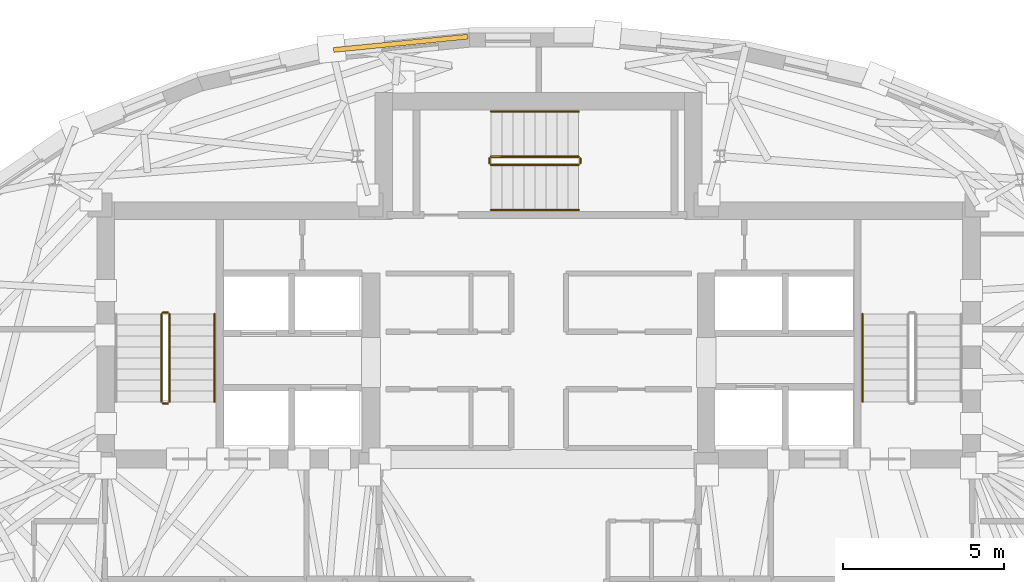
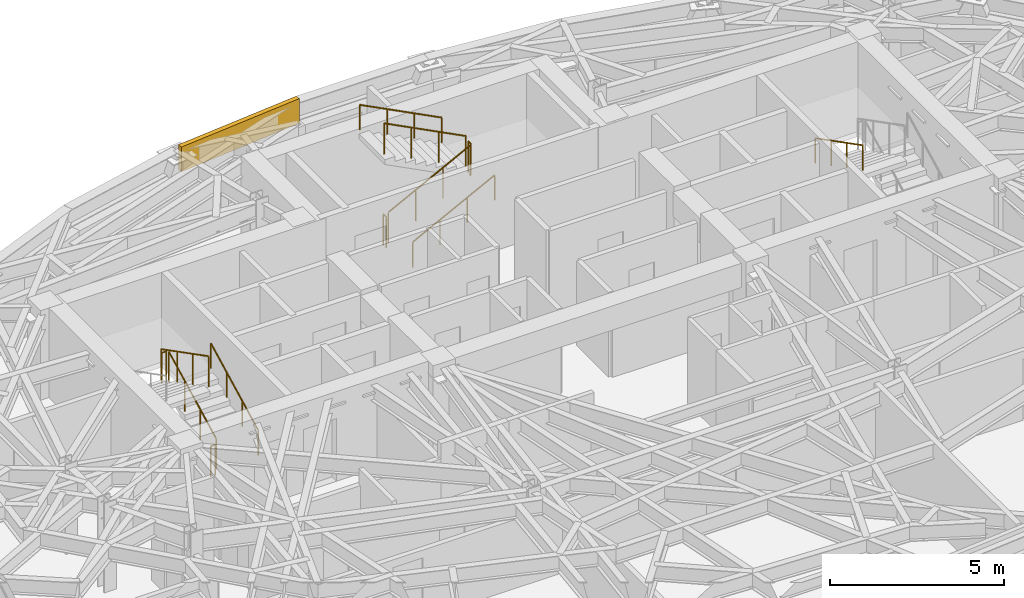
# One storey, part 12 of 13: 12 railings, 1 covering.
"""IFC4 building model written with IfcOpenShell, lengths in metres."""

import ifcopenshell
import ifcopenshell.guid

model = None  # the IFC model being written
_history = None  # IfcOwnerHistory: only IFC2X3 demands one
_inside = {}  # id of a spatial element -> (the spatial element, [elements in it])
_under = {}  # id of a project, library or spatial element -> (it, [spatial elements below it])
_declared = {}  # id of a project -> (the project, [libraries it declares])
_typed = {}  # id of a type object -> (the type object, [elements of that type])
_made_of = {}  # id of a material, layer set ... -> (it, [elements and type objects made of it])


def new_model(schema):
    """Start an empty IFC model of exactly this schema.

    Asked for "IFC4X3", IfcOpenShell would pick the latest addendum, in which some entities
    have other attributes; the version numbers below select the first issue.
    IFC2X3 requires an IfcOwnerHistory on every rooted entity: one is made here for all.
    """
    global model, _history
    if schema == "IFC4X3":
        model = ifcopenshell.file(schema_version=(4, 3, 0, 0))
    else:
        model = ifcopenshell.file(schema=schema)
    _inside.clear()
    _under.clear()
    _declared.clear()
    _typed.clear()
    _made_of.clear()
    _history = None
    if model.schema == "IFC2X3":
        org = make("IfcOrganization", Name="unknown")
        user = make(
            "IfcPersonAndOrganization",
            ThePerson=make("IfcPerson", FamilyName="unknown"),
            TheOrganization=org,
        )
        app = make(
            "IfcApplication",
            ApplicationDeveloper=org,
            Version="unknown",
            ApplicationFullName="unknown",
            ApplicationIdentifier="unknown",
        )
        _history = make(
            "IfcOwnerHistory",
            OwningUser=user,
            OwningApplication=app,
            ChangeAction="ADDED",
            CreationDate=0,
        )
    return model


def make(cls, **values):
    """One entity of the class cls with the attributes given. An attribute that is None is left unset."""
    return model.create_entity(
        cls, **{name: value for name, value in values.items() if value is not None}
    )


def rooted(cls, **values):
    """An entity with a GlobalId (a new one), such as an element, a storey or a relation."""
    return make(cls, GlobalId=ifcopenshell.guid.new(), OwnerHistory=_history, **values)


def si_unit(unit_type, name, prefix=None):
    """IfcSIUnit, for example si_unit("LENGTHUNIT", "METRE", prefix="MILLI")."""
    return make("IfcSIUnit", UnitType=unit_type, Prefix=prefix, Name=name)


def assignment(units):
    """IfcUnitAssignment: the units of a project."""
    return None if units is None else make("IfcUnitAssignment", Units=units)


def point(xyz):
    """IfcCartesianPoint."""
    return None if xyz is None else make("IfcCartesianPoint", Coordinates=xyz)


def direction(xyz):
    """IfcDirection."""
    return None if xyz is None else make("IfcDirection", DirectionRatios=xyz)


def frame(location, z_axis=None, x_axis=None):
    """IfcAxis2Placement3D, a coordinate frame: its origin and axes. An axis left out is left unset."""
    return make(
        "IfcAxis2Placement3D",
        Location=point(location),
        Axis=direction(z_axis),
        RefDirection=direction(x_axis),
    )


def frame_2d(location, x_axis=None):
    """IfcAxis2Placement2D, a coordinate frame in the plane: its origin and x axis."""
    return make(
        "IfcAxis2Placement2D", Location=point(location), RefDirection=direction(x_axis)
    )


def origin():
    """The frame at (0, 0, 0) with its axes left unset."""
    return frame((0.0, 0.0, 0.0))


def origin_2d():
    """The frame at (0, 0) in the plane with its x axis left unset."""
    return frame_2d((0.0, 0.0))


def place(relative_to, where):
    """IfcLocalPlacement: puts the frame where relative to a parent placement (None: the world)."""
    return make(
        "IfcLocalPlacement", PlacementRelTo=relative_to, RelativePlacement=where
    )


def context(
    kind, dimensions, precision=None, world=None, true_north=None, identifier=None
):
    """IfcGeometricRepresentationContext, for example the 3D "Model" context."""
    return make(
        "IfcGeometricRepresentationContext",
        ContextIdentifier=identifier,
        ContextType=kind,
        CoordinateSpaceDimension=dimensions,
        Precision=precision,
        WorldCoordinateSystem=world,
        TrueNorth=true_north,
    )


def subcontext(parent, identifier, kind, view, scale=None):
    """IfcGeometricRepresentationSubContext, for example "Body" below "Model"."""
    return make(
        "IfcGeometricRepresentationSubContext",
        ContextIdentifier=identifier,
        ContextType=kind,
        ParentContext=parent,
        TargetScale=scale,
        TargetView=view,
    )


def project(units=None, contexts=None):
    """IfcProject with its units and contexts."""
    return rooted(
        "IfcProject",
        Name="project",
        RepresentationContexts=contexts,
        UnitsInContext=assignment(units),
    )


def spatial(cls, under=None, at=None, **own):
    """A site, building, storey or space (cls), placed at a placement, below another one or the project."""
    s = rooted(cls, ObjectPlacement=at, **own)
    if under is not None:
        _under.setdefault(under.id(), (under, []))[1].append(s)
    return s


def profile(cls, at=None, kind="AREA", **sizes):
    """A parametric profile (cls). Its sizes go by their IFC names, for example OverallWidth=200.0."""
    return make(cls, ProfileType=kind, Position=at, **sizes)


def rectangle(**sizes):
    """IfcRectangleProfileDef."""
    return profile("IfcRectangleProfileDef", **sizes)


def circle(**sizes):
    """IfcCircleProfileDef."""
    return profile("IfcCircleProfileDef", **sizes)


def extrude(swept, where, along, depth):
    """IfcExtrudedAreaSolid: the profile swept, set in the frame where, extruded along a direction by depth."""
    return make(
        "IfcExtrudedAreaSolid",
        SweptArea=swept,
        Position=where,
        ExtrudedDirection=direction(along),
        Depth=depth,
    )


def shape(context_of_items, identifier, shape_type, items):
    """IfcShapeRepresentation: the items that make up one representation, for example the "Body"."""
    return make(
        "IfcShapeRepresentation",
        ContextOfItems=context_of_items,
        RepresentationIdentifier=identifier,
        RepresentationType=shape_type,
        Items=items,
    )


def material(Name=None, Category=None):
    """IfcMaterial."""
    return make("IfcMaterial", Name=Name, Category=Category)


def layer(
    of_material, thickness, ventilated=None, Name=None, Category=None, Priority=None
):
    """IfcMaterialLayer: one layer of a wall or slab, of a material (None: an air gap)."""
    return make(
        "IfcMaterialLayer",
        Material=of_material,
        LayerThickness=thickness,
        IsVentilated=ventilated,
        Name=Name,
        Category=Category,
        Priority=Priority,
    )


def layer_set(layers, Name=None):
    """IfcMaterialLayerSet."""
    return make("IfcMaterialLayerSet", MaterialLayers=layers, LayerSetName=Name)


def made_of(thing, what):
    """Note that an element or type object is made of a material, layer set ...; save() writes the relation."""
    if what is not None:
        _made_of.setdefault(what.id(), (what, []))[1].append(thing)
    return thing


def type_object(cls, material=None, **own):
    """A type object (cls), such as IfcWallType, which elements share."""
    return made_of(rooted(cls, **own), material)


def element(
    cls,
    number,
    at=None,
    inside=None,
    cuts=None,
    type_object=None,
    material=None,
    context=None,
    identifier="Body",
    shape_type=None,
    held_by="IfcProductDefinitionShape",
    body=None,
    shapes=None,
    **own,
):
    """One element of the class cls, such as IfcWall. Its Tag is "e" and its number.

    at: its placement. inside: the storey or other place that contains it. cuts: it is an
    opening in that element (IfcRelVoidsElement). A single representation is given by context,
    identifier, shape_type and body (its items); several are given by shapes. held_by: the class
    of the entity that holds the representations. save() writes the other relations.
    """
    e = rooted(cls, Tag="e%d" % number, ObjectPlacement=at, **own)
    if body is not None:
        shapes = [shape(context, identifier, shape_type, body)]
    if shapes is not None:
        e.Representation = make(held_by, Representations=shapes)
    if inside is not None:
        _inside.setdefault(inside.id(), (inside, []))[1].append(e)
    if cuts is not None:
        rooted(
            "IfcRelVoidsElement", RelatingBuildingElement=cuts, RelatedOpeningElement=e
        )
    if type_object is not None:
        _typed.setdefault(type_object.id(), (type_object, []))[1].append(e)
    return made_of(e, material)


def aggregate(whole, parts):
    """IfcRelAggregates: a whole, such as a stair, and the parts it consists of."""
    return rooted("IfcRelAggregates", RelatingObject=whole, RelatedObjects=parts)


def save(model, path):
    """Write the relations noted so far, then the file.

    IfcRelAggregates (storeys below a building ...), IfcRelContainedInSpatialStructure (elements
    in a storey), IfcRelDefinesByType, IfcRelAssociatesMaterial and IfcRelDeclares: one each for
    every whole, place, type object, material and project.
    """
    for whole, parts in _under.values():
        aggregate(whole, parts)
    for where, things in _inside.values():
        rooted(
            "IfcRelContainedInSpatialStructure",
            RelatedElements=things,
            RelatingStructure=where,
        )
    for kind, things in _typed.values():
        rooted("IfcRelDefinesByType", RelatedObjects=things, RelatingType=kind)
    for what, things in _made_of.values():
        rooted("IfcRelAssociatesMaterial", RelatedObjects=things, RelatingMaterial=what)
    for by, libraries in _declared.values():
        rooted("IfcRelDeclares", RelatingContext=by, RelatedDefinitions=libraries)
    model.write(path)


model = new_model("IFC4")

# Units and contexts
model_context = context("Model", 3, precision=1e-05, world=origin(), true_north=direction((0.0, 1.0)))
body_context = subcontext(model_context, "Body", "Model", "MODEL_VIEW")
ifc_project = project(units=[si_unit("LENGTHUNIT", "METRE"), si_unit("AREAUNIT", "SQUARE_METRE"), si_unit("VOLUMEUNIT", "CUBIC_METRE"), si_unit("PLANEANGLEUNIT", "RADIAN"), si_unit("MASSUNIT", "GRAM", prefix="KILO")], contexts=[model_context])

# Site, building, storey
site_placement = place(None, origin())
site = spatial("IfcSite", under=ifc_project, at=site_placement, CompositionType="ELEMENT")
building_placement = place(site_placement, origin())
building = spatial("IfcBuilding", under=site, at=building_placement, Name="Keldmark Tower", CompositionType="ELEMENT")
storey_placement = place(building_placement, frame((0.0, 0.0, 241.5)))
storey = spatial("IfcBuildingStorey", under=building, at=storey_placement, Name="L68", CompositionType="ELEMENT", Elevation=241.5)

# Covering
ifc_material_1 = material(Name="Honed Kasota Buff Dolomitic Limestone", Category="masonry")
ifc_layer = layer(ifc_material_1, 0.074951171875)
ifc_layer_set = layer_set([ifc_layer], Name="Honed Kasota Buff Dolomitic Limestone")
covering_type = type_object("IfcCoveringType", Name="Kasota Buff Limestone Spandrel Cladding Band", PredefinedType="CLADDING", material=ifc_layer_set)
covering_placement = place(storey_placement, frame((-4.276123046875, 14.467529296875, 2.260009765625), z_axis=(0.0, 0.0, 1.0), x_axis=(-0.995131548634, -0.098555572711, 0.0)))
element("IfcCovering", 1, at=covering_placement, inside=storey, type_object=covering_type, Name="L68 Kasota Limestone Spandrel Band 09", PredefinedType="CLADDING", context=body_context, shape_type="SweptSolid", body=[
    extrude(rectangle(XDim=4.17919921875, YDim=0.14990234375, at=origin_2d()), origin(), (0.0, 0.0, 1.0), 0.8701171875),
])

# Railings
ifc_material_2 = material(Name="Painted Steel ASTM A500 Grade B", Category="steel")
railing_type_1 = type_object("IfcRailingType", Name="Painted Steel Stair Well Guard 1100 mm", PredefinedType="GUARDRAIL", material=ifc_material_2)
railing_1_placement = place(storey_placement, frame((-11.449951171875, 3.35009765625, 0.175048828125)))
element("IfcRailing", 2, at=railing_1_placement, inside=storey, type_object=railing_type_1, Name="L68 ST1 stair guard 1", PredefinedType="GUARDRAIL", context=body_context, shape_type="SweptSolid", body=[
    extrude(circle(Radius=0.02392578125, at=origin_2d()), frame((0.0, 0.0, 1.076171875), z_axis=(0.0, 0.889146794209, 0.457622091194), x_axis=(-1.0, 0.0, 0.0)), (0.0, 0.0, 1.0), 3.05908203125),
    extrude(circle(Radius=0.02099609375, at=origin_2d()), origin(), (0.0, 0.0, 1.0), 1.052001953125),
    extrude(circle(Radius=0.02099609375, at=origin_2d()), frame((0.0, 0.90673828125, 0.466552734375)), (0.0, 0.0, 1.0), 1.052001953125),
    extrude(circle(Radius=0.02099609375, at=origin_2d()), frame((0.0, 1.813232421875, 0.933349609375)), (0.0, 0.0, 1.0), 1.052001953125),
    extrude(circle(Radius=0.02099609375, at=origin_2d()), frame((0.0, 2.719970703125, 1.39990234375)), (0.0, 0.0, 1.0), 1.052001953125),
])
railing_2_placement = place(storey_placement, frame((-11.5, 6.1201171875, 1.574951171875)))
element("IfcRailing", 3, at=railing_2_placement, inside=storey, type_object=railing_type_1, Name="L68 ST1 stair guard 2", PredefinedType="GUARDRAIL", context=body_context, shape_type="SweptSolid", body=[
    extrude(circle(Radius=0.02392578125, at=origin_2d()), frame((0.0, 0.0, 1.076171875), z_axis=(-1.0, 0.0, 0.0), x_axis=(0.0, -1.0, 0.0)), (0.0, 0.0, 1.0), 0.14990234375),
    extrude(circle(Radius=0.02099609375, at=origin_2d()), origin(), (0.0, 0.0, 1.0), 1.052001953125),
    extrude(circle(Radius=0.02099609375, at=origin_2d()), frame((-0.14990234375, 0.0, 0.0)), (0.0, 0.0, 1.0), 1.052001953125),
])
railing_3_placement = place(storey_placement, frame((-11.699951171875, 6.070068359375, 1.75)))
element("IfcRailing", 4, at=railing_3_placement, inside=storey, type_object=railing_type_1, Name="L68 ST1 stair guard 3", PredefinedType="GUARDRAIL", context=body_context, shape_type="SweptSolid", body=[
    extrude(circle(Radius=0.02392578125, at=origin_2d()), frame((0.0, 0.0, 1.076171875), z_axis=(0.0, -0.889146794209, 0.457622091194), x_axis=(1.0, 0.0, 0.0)), (0.0, 0.0, 1.0), 3.05908203125),
    extrude(circle(Radius=0.02099609375, at=origin_2d()), origin(), (0.0, 0.0, 1.0), 1.052001953125),
    extrude(circle(Radius=0.02099609375, at=origin_2d()), frame((0.0, -0.90673828125, 0.466552734375)), (0.0, 0.0, 1.0), 1.052001953125),
    extrude(circle(Radius=0.02099609375, at=origin_2d()), frame((0.0, -1.813232421875, 0.933349609375)), (0.0, 0.0, 1.0), 1.052001953125),
    extrude(circle(Radius=0.02099609375, at=origin_2d()), frame((0.0, -2.719970703125, 1.39990234375)), (0.0, 0.0, 1.0), 1.052001953125),
])
railing_4_placement = place(storey_placement, frame((-11.5, 3.300048828125, 0.0)))
element("IfcRailing", 5, at=railing_4_placement, inside=storey, type_object=railing_type_1, Name="L68 ST1 stair guard 4", PredefinedType="GUARDRAIL", context=body_context, shape_type="SweptSolid", body=[
    extrude(circle(Radius=0.02392578125, at=origin_2d()), frame((0.0, 0.0, 1.076171875), z_axis=(-1.0, 0.0, 0.0), x_axis=(0.0, -1.0, 0.0)), (0.0, 0.0, 1.0), 0.14990234375),
    extrude(circle(Radius=0.02099609375, at=origin_2d()), origin(), (0.0, 0.0, 1.0), 1.052001953125),
    extrude(circle(Radius=0.02099609375, at=origin_2d()), frame((-0.14990234375, 0.0, 0.0)), (0.0, 0.0, 1.0), 1.052001953125),
])
railing_5_placement = place(storey_placement, frame((-1.47509765625, 10.699951171875, 0.175048828125)))
element("IfcRailing", 6, at=railing_5_placement, inside=storey, type_object=railing_type_1, Name="L68 ST3 stair guard 1", PredefinedType="GUARDRAIL", context=body_context, shape_type="SweptSolid", body=[
    extrude(circle(Radius=0.02392578125, at=origin_2d()), frame((0.0, 0.0, 1.076171875), z_axis=(0.88916350577, 0.0, 0.457589619645), x_axis=(0.0, 1.0, 0.0)), (0.0, 0.0, 1.0), 3.059326171875),
    extrude(circle(Radius=0.02099609375, at=origin_2d()), origin(), (0.0, 0.0, 1.0), 1.052001953125),
    extrude(circle(Radius=0.02099609375, at=origin_2d()), frame((0.90673828125, 0.0, 0.466552734375)), (0.0, 0.0, 1.0), 1.052001953125),
    extrude(circle(Radius=0.02099609375, at=origin_2d()), frame((1.8134765625, 0.0, 0.933349609375)), (0.0, 0.0, 1.0), 1.052001953125),
    extrude(circle(Radius=0.02099609375, at=origin_2d()), frame((2.72021484375, 0.0, 1.39990234375)), (0.0, 0.0, 1.0), 1.052001953125),
])
railing_6_placement = place(storey_placement, frame((1.294921875, 10.75, 1.574951171875)))
element("IfcRailing", 7, at=railing_6_placement, inside=storey, type_object=railing_type_1, Name="L68 ST3 stair guard 2", PredefinedType="GUARDRAIL", context=body_context, shape_type="SweptSolid", body=[
    extrude(circle(Radius=0.02392578125, at=origin_2d()), frame((0.0, 0.0, 1.076171875), z_axis=(0.0, 1.0, 0.0), x_axis=(-1.0, 0.0, 0.0)), (0.0, 0.0, 1.0), 0.14990234375),
    extrude(circle(Radius=0.02099609375, at=origin_2d()), origin(), (0.0, 0.0, 1.0), 1.052001953125),
    extrude(circle(Radius=0.02099609375, at=origin_2d()), frame((0.0, 0.14990234375, 0.0)), (0.0, 0.0, 1.0), 1.052001953125),
])
railing_7_placement = place(storey_placement, frame((1.2451171875, 10.949951171875, 1.75)))
element("IfcRailing", 8, at=railing_7_placement, inside=storey, type_object=railing_type_1, Name="L68 ST3 stair guard 3", PredefinedType="GUARDRAIL", context=body_context, shape_type="SweptSolid", body=[
    extrude(circle(Radius=0.02392578125, at=origin_2d()), frame((0.0, 0.0, 1.076171875), z_axis=(-0.88916350577, 0.0, 0.457589619645), x_axis=(0.0, -1.0, 0.0)), (0.0, 0.0, 1.0), 3.059326171875),
    extrude(circle(Radius=0.02099609375, at=origin_2d()), origin(), (0.0, 0.0, 1.0), 1.052001953125),
    extrude(circle(Radius=0.02099609375, at=origin_2d()), frame((-0.90673828125, 0.0, 0.466552734375)), (0.0, 0.0, 1.0), 1.052001953125),
    extrude(circle(Radius=0.02099609375, at=origin_2d()), frame((-1.8134765625, 0.0, 0.933349609375)), (0.0, 0.0, 1.0), 1.052001953125),
    extrude(circle(Radius=0.02099609375, at=origin_2d()), frame((-2.72021484375, 0.0, 1.39990234375)), (0.0, 0.0, 1.0), 1.052001953125),
])
railing_8_placement = place(storey_placement, frame((-1.52490234375, 10.75, 0.0)))
element("IfcRailing", 9, at=railing_8_placement, inside=storey, type_object=railing_type_1, Name="L68 ST3 stair guard 4", PredefinedType="GUARDRAIL", context=body_context, shape_type="SweptSolid", body=[
    extrude(circle(Radius=0.02392578125, at=origin_2d()), frame((0.0, 0.0, 1.076171875), z_axis=(0.0, 1.0, 0.0), x_axis=(-1.0, 0.0, 0.0)), (0.0, 0.0, 1.0), 0.14990234375),
    extrude(circle(Radius=0.02099609375, at=origin_2d()), origin(), (0.0, 0.0, 1.0), 1.052001953125),
    extrude(circle(Radius=0.02099609375, at=origin_2d()), frame((0.0, 0.14990234375, 0.0)), (0.0, 0.0, 1.0), 1.052001953125),
])
ifc_material_3 = material(Name="Stainless Steel AISI 316L", Category="steel")
railing_type_2 = type_object("IfcRailingType", Name="Stainless Steel Stair Handrail 900 mm", PredefinedType="HANDRAIL", material=ifc_material_3)
railing_9_placement = place(storey_placement, frame((-10.050048828125, 3.35009765625, 0.175048828125)))
element("IfcRailing", 10, at=railing_9_placement, inside=storey, type_object=railing_type_2, Name="L68 ST1 stair handrail 1", PredefinedType="HANDRAIL", context=body_context, shape_type="SweptSolid", body=[
    extrude(circle(Radius=0.02392578125, at=origin_2d()), frame((0.0, 0.0, 0.8759765625), z_axis=(0.0, 0.889146794209, 0.457622091194), x_axis=(-1.0, 0.0, 0.0)), (0.0, 0.0, 1.0), 3.05908203125),
    extrude(circle(Radius=0.02099609375, at=origin_2d()), origin(), (0.0, 0.0, 1.0), 0.851806640625),
    extrude(circle(Radius=0.02099609375, at=origin_2d()), frame((0.0, 0.90673828125, 0.466552734375)), (0.0, 0.0, 1.0), 0.851806640625),
    extrude(circle(Radius=0.02099609375, at=origin_2d()), frame((0.0, 1.813232421875, 0.933349609375)), (0.0, 0.0, 1.0), 0.851806640625),
    extrude(circle(Radius=0.02099609375, at=origin_2d()), frame((0.0, 2.719970703125, 1.39990234375)), (0.0, 0.0, 1.0), 0.851806640625),
])
railing_10_placement = place(storey_placement, frame((10.050048828125, 6.070068359375, 1.75)))
element("IfcRailing", 11, at=railing_10_placement, inside=storey, type_object=railing_type_2, Name="L68 ST2 stair handrail 2", PredefinedType="HANDRAIL", context=body_context, shape_type="SweptSolid", body=[
    extrude(circle(Radius=0.02392578125, at=origin_2d()), frame((0.0, 0.0, 0.8759765625), z_axis=(0.0, -0.889146794209, 0.457622091194), x_axis=(1.0, 0.0, 0.0)), (0.0, 0.0, 1.0), 3.05908203125),
    extrude(circle(Radius=0.02099609375, at=origin_2d()), origin(), (0.0, 0.0, 1.0), 0.851806640625),
    extrude(circle(Radius=0.02099609375, at=origin_2d()), frame((0.0, -0.90673828125, 0.466552734375)), (0.0, 0.0, 1.0), 0.851806640625),
    extrude(circle(Radius=0.02099609375, at=origin_2d()), frame((0.0, -1.813232421875, 0.933349609375)), (0.0, 0.0, 1.0), 0.851806640625),
    extrude(circle(Radius=0.02099609375, at=origin_2d()), frame((0.0, -2.719970703125, 1.39990234375)), (0.0, 0.0, 1.0), 0.851806640625),
])
railing_11_placement = place(storey_placement, frame((-1.47509765625, 9.300048828125, 0.175048828125)))
element("IfcRailing", 12, at=railing_11_placement, inside=storey, type_object=railing_type_2, Name="L68 ST3 stair handrail 1", PredefinedType="HANDRAIL", context=body_context, shape_type="SweptSolid", body=[
    extrude(circle(Radius=0.02392578125, at=origin_2d()), frame((0.0, 0.0, 0.8759765625), z_axis=(0.88916350577, 0.0, 0.457589619645), x_axis=(0.0, 1.0, 0.0)), (0.0, 0.0, 1.0), 3.059326171875),
    extrude(circle(Radius=0.02099609375, at=origin_2d()), origin(), (0.0, 0.0, 1.0), 0.851806640625),
    extrude(circle(Radius=0.02099609375, at=origin_2d()), frame((0.90673828125, 0.0, 0.466552734375)), (0.0, 0.0, 1.0), 0.851806640625),
    extrude(circle(Radius=0.02099609375, at=origin_2d()), frame((1.8134765625, 0.0, 0.933349609375)), (0.0, 0.0, 1.0), 0.851806640625),
    extrude(circle(Radius=0.02099609375, at=origin_2d()), frame((2.72021484375, 0.0, 1.39990234375)), (0.0, 0.0, 1.0), 0.851806640625),
])
railing_12_placement = place(storey_placement, frame((1.2451171875, 12.35009765625, 1.75)))
element("IfcRailing", 13, at=railing_12_placement, inside=storey, type_object=railing_type_2, Name="L68 ST3 stair handrail 2", PredefinedType="HANDRAIL", context=body_context, shape_type="SweptSolid", body=[
    extrude(circle(Radius=0.02392578125, at=origin_2d()), frame((0.0, 0.0, 0.8759765625), z_axis=(-0.88916350577, 0.0, 0.457589619645), x_axis=(0.0, -1.0, 0.0)), (0.0, 0.0, 1.0), 3.059326171875),
    extrude(circle(Radius=0.02099609375, at=origin_2d()), origin(), (0.0, 0.0, 1.0), 0.851806640625),
    extrude(circle(Radius=0.02099609375, at=origin_2d()), frame((-0.90673828125, 0.0, 0.466552734375)), (0.0, 0.0, 1.0), 0.851806640625),
    extrude(circle(Radius=0.02099609375, at=origin_2d()), frame((-1.8134765625, 0.0, 0.933349609375)), (0.0, 0.0, 1.0), 0.851806640625),
    extrude(circle(Radius=0.02099609375, at=origin_2d()), frame((-2.72021484375, 0.0, 1.39990234375)), (0.0, 0.0, 1.0), 0.851806640625),
])

save(model, "model.ifc")
